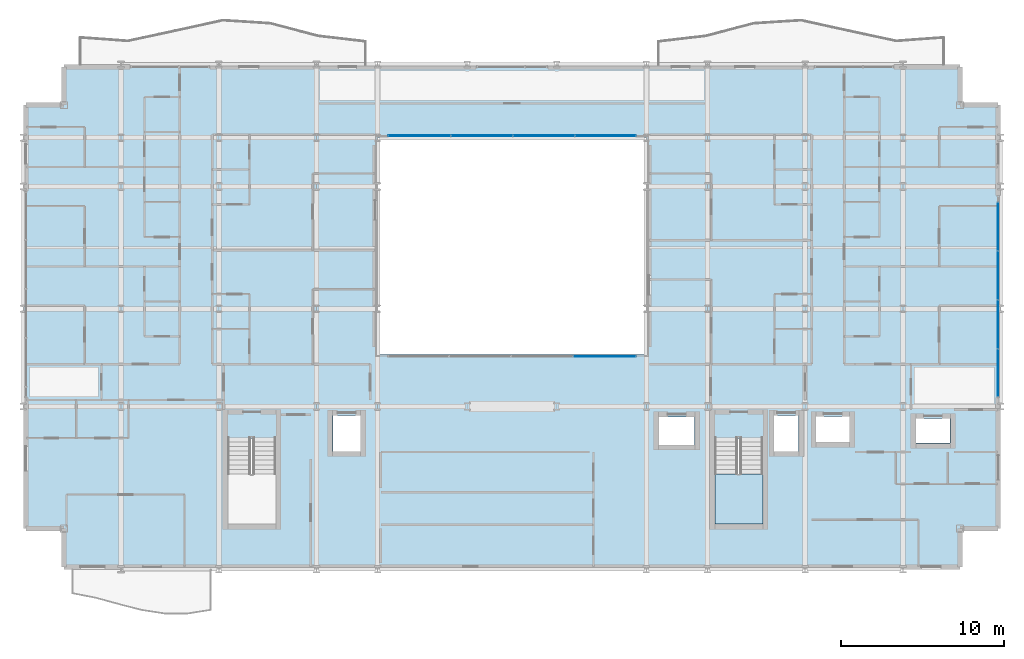
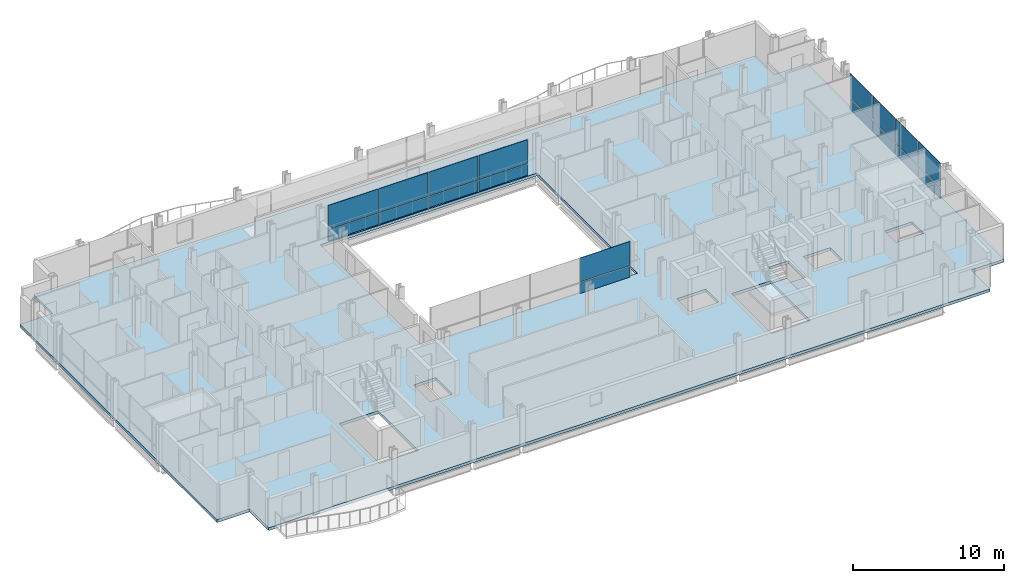
# One storey, part 27 of 40: 18 plates, 2 slabs, 4 elements without a shape of their own.
"""IFC4 building model written with IfcOpenShell, lengths in metres."""

from ifc_helpers import new_model, si_unit, direction, frame, origin, origin_2d, place, context, subcontext, project, spatial, polyline, rectangle, outline, extrude, material, layer, layer_set, type_object, element, aggregate, save


model = new_model("IFC4")

# Units and contexts
model_context = context("Model", 3, precision=1e-05, world=origin(), true_north=direction((0.0, 1.0)))
body_context = subcontext(model_context, "Body", "Model", "MODEL_VIEW")
ifc_project = project(units=[si_unit("LENGTHUNIT", "METRE"), si_unit("AREAUNIT", "SQUARE_METRE"), si_unit("VOLUMEUNIT", "CUBIC_METRE"), si_unit("PLANEANGLEUNIT", "RADIAN"), si_unit("MASSUNIT", "GRAM", prefix="KILO")], contexts=[model_context])

# Site, building, storey
site_placement = place(None, origin())
site = spatial("IfcSite", under=ifc_project, at=site_placement, CompositionType="ELEMENT")
building_placement = place(site_placement, origin())
building = spatial("IfcBuilding", under=site, at=building_placement, Name="Brevholm Reach", CompositionType="ELEMENT")
storey_placement = place(building_placement, frame((0.0, 0.0, 37.300048828125)))
storey = spatial("IfcBuildingStorey", under=building, at=storey_placement, Name="L09", CompositionType="ELEMENT", Elevation=37.300048828125)

# Curtain wall, plates
ifc_material_1 = material(Name="Dark Anodised Aluminium 6063-T6 and Solar-Control Glass", Category="aluminium")
ifc_layer_1 = layer(ifc_material_1, 0.14990234375)
ifc_layer_set_1 = layer_set([ifc_layer_1], Name="Dark Anodised Aluminium 6063-T6 and Solar-Control Glass")
curtain_wall_type_1 = type_object("IfcCurtainWallType", Name="CW-01", PredefinedType="NOTDEFINED", material=ifc_layer_set_1)
curtain_wall_1_placement = place(storey_placement, origin())
curtain_wall_1 = element("IfcCurtainWall", 1, at=curtain_wall_1_placement, inside=storey, type_object=curtain_wall_type_1, Name="L09 Curtain Wall CW-01", PredefinedType="NOTDEFINED")
ifc_material_2 = material(Name="Dark Solar-Control Double-Glazed IGU Glass", Category="glass")
ifc_layer_2 = layer(ifc_material_2, 0.028076171875)
ifc_layer_set_2 = layer_set([ifc_layer_2], Name="Dark Solar-Control Double-Glazed IGU Glass")
plate_type_1 = type_object("IfcPlateType", Name="CWP-GLZ-28", PredefinedType="CURTAIN_PANEL", material=ifc_layer_set_2)
plate_1_placement = place(storey_placement, frame((59.85009765625, 12.066162109375, 0.0), z_axis=(0.0, 0.0, 1.0), x_axis=(0.0, 1.0, 0.0)))
plate_1 = element("IfcPlate", 2, at=plate_1_placement, type_object=plate_type_1, Name="CP-01 Glazing Panel 1.1", PredefinedType="CURTAIN_PANEL", context=body_context, shape_type="SweptSolid", body=[
    extrude(rectangle(XDim=2.902587890625, YDim=0.028076171875, at=origin_2d()), origin(), (0.0, 0.0, 1.0), 0.867431640625),
])
plate_2_placement = place(storey_placement, frame((59.85009765625, 12.066162109375, 0.932373046875), z_axis=(0.0, 0.0, 1.0), x_axis=(0.0, 1.0, 0.0)))
plate_2 = element("IfcPlate", 3, at=plate_2_placement, type_object=plate_type_1, Name="CP-01 Glazing Panel 1.2", PredefinedType="CURTAIN_PANEL", context=body_context, shape_type="SweptSolid", body=[
    extrude(rectangle(XDim=2.902587890625, YDim=0.028076171875, at=origin_2d()), origin(), (0.0, 0.0, 1.0), 1.9375),
])
plate_3_placement = place(storey_placement, frame((59.85009765625, 15.050048828125, 0.0), z_axis=(0.0, 0.0, 1.0), x_axis=(0.0, 1.0, 0.0)))
plate_3 = element("IfcPlate", 4, at=plate_3_placement, type_object=plate_type_1, Name="CP-01 Glazing Panel 2.1", PredefinedType="CURTAIN_PANEL", context=body_context, shape_type="SweptSolid", body=[
    extrude(rectangle(XDim=2.93505859375, YDim=0.028076171875, at=origin_2d()), origin(), (0.0, 0.0, 1.0), 0.867431640625),
])
plate_4_placement = place(storey_placement, frame((59.85009765625, 15.050048828125, 0.932373046875), z_axis=(0.0, 0.0, 1.0), x_axis=(0.0, 1.0, 0.0)))
plate_4 = element("IfcPlate", 5, at=plate_4_placement, type_object=plate_type_1, Name="CP-01 Glazing Panel 2.2", PredefinedType="CURTAIN_PANEL", context=body_context, shape_type="SweptSolid", body=[
    extrude(rectangle(XDim=2.93505859375, YDim=0.028076171875, at=origin_2d()), origin(), (0.0, 0.0, 1.0), 1.9375),
])
plate_5_placement = place(storey_placement, frame((59.85009765625, 18.050048828125, 0.0), z_axis=(0.0, 0.0, 1.0), x_axis=(0.0, 1.0, 0.0)))
plate_5 = element("IfcPlate", 6, at=plate_5_placement, type_object=plate_type_1, Name="CP-01 Glazing Panel 3.1", PredefinedType="CURTAIN_PANEL", context=body_context, shape_type="SweptSolid", body=[
    extrude(rectangle(XDim=2.93505859375, YDim=0.028076171875, at=origin_2d()), origin(), (0.0, 0.0, 1.0), 0.867431640625),
])
plate_6_placement = place(storey_placement, frame((59.85009765625, 18.050048828125, 0.932373046875), z_axis=(0.0, 0.0, 1.0), x_axis=(0.0, 1.0, 0.0)))
plate_6 = element("IfcPlate", 7, at=plate_6_placement, type_object=plate_type_1, Name="CP-01 Glazing Panel 3.2", PredefinedType="CURTAIN_PANEL", context=body_context, shape_type="SweptSolid", body=[
    extrude(rectangle(XDim=2.93505859375, YDim=0.028076171875, at=origin_2d()), origin(), (0.0, 0.0, 1.0), 1.9375),
])
plate_7_placement = place(storey_placement, frame((59.85009765625, 21.050048828125, 0.0), z_axis=(0.0, 0.0, 1.0), x_axis=(0.0, 1.0, 0.0)))
plate_7 = element("IfcPlate", 8, at=plate_7_placement, type_object=plate_type_1, Name="CP-01 Glazing Panel 4.1", PredefinedType="CURTAIN_PANEL", context=body_context, shape_type="SweptSolid", body=[
    extrude(rectangle(XDim=2.93505859375, YDim=0.028076171875, at=origin_2d()), origin(), (0.0, 0.0, 1.0), 0.867431640625),
])
plate_8_placement = place(storey_placement, frame((59.85009765625, 21.050048828125, 0.932373046875), z_axis=(0.0, 0.0, 1.0), x_axis=(0.0, 1.0, 0.0)))
plate_8 = element("IfcPlate", 9, at=plate_8_placement, type_object=plate_type_1, Name="CP-01 Glazing Panel 4.2", PredefinedType="CURTAIN_PANEL", context=body_context, shape_type="SweptSolid", body=[
    extrude(rectangle(XDim=2.93505859375, YDim=0.028076171875, at=origin_2d()), origin(), (0.0, 0.0, 1.0), 1.9375),
])
aggregate(curtain_wall_1, [plate_1, plate_2, plate_3, plate_4, plate_5, plate_6, plate_7, plate_8])

ifc_material_3 = material(Name="Dark Anodised Aluminium 6063-T6 and Solar-Control Glass", Category="aluminium")
ifc_layer_3 = layer(ifc_material_3, 0.139892578125)
ifc_layer_set_3 = layer_set([ifc_layer_3], Name="Dark Anodised Aluminium 6063-T6 and Solar-Control Glass")
curtain_wall_type_2 = type_object("IfcCurtainWallType", Name="CW-02", PredefinedType="NOTDEFINED", material=ifc_layer_set_3)
curtain_wall_2_placement = place(storey_placement, origin())
curtain_wall_2 = element("IfcCurtainWall", 10, at=curtain_wall_2_placement, inside=storey, type_object=curtain_wall_type_2, Name="L09 Curtain Wall CW-02", PredefinedType="NOTDEFINED")
ifc_material_4 = material(Name="Low-Iron Laminated Acoustic Glass", Category="glass")
ifc_layer_4 = layer(ifc_material_4, 0.035888671875)
ifc_layer_set_4 = layer_set([ifc_layer_4], Name="Low-Iron Laminated Acoustic Glass")
plate_type_2 = type_object("IfcPlateType", Name="CWP-GLZ-36", PredefinedType="CURTAIN_PANEL", material=ifc_layer_set_4)
plate_9_placement = place(storey_placement, frame((35.68505859375, 13.080078125, 0.0), z_axis=(0.0, 0.0, 1.0), x_axis=(1.0, 0.0, 0.0)))
plate_9 = element("IfcPlate", 11, at=plate_9_placement, type_object=plate_type_2, Name="CP-02 Glazing Panel 4.1", PredefinedType="CURTAIN_PANEL", context=body_context, shape_type="SweptSolid", body=[
    extrude(rectangle(XDim=3.81005859375, YDim=0.035888671875, at=origin_2d()), origin(), (0.0, 0.0, 1.0), 0.8701171875),
])
plate_10_placement = place(storey_placement, frame((35.68505859375, 13.080078125, 0.929931640625), z_axis=(0.0, 0.0, 1.0), x_axis=(1.0, 0.0, 0.0)))
plate_10 = element("IfcPlate", 12, at=plate_10_placement, type_object=plate_type_2, Name="CP-02 Glazing Panel 4.2", PredefinedType="CURTAIN_PANEL", context=body_context, shape_type="SweptSolid", body=[
    extrude(rectangle(XDim=3.81005859375, YDim=0.035888671875, at=origin_2d()), origin(), (0.0, 0.0, 1.0), 1.93994140625),
])
aggregate(curtain_wall_2, [plate_9, plate_10])

curtain_wall_3_placement = place(storey_placement, origin())
curtain_wall_3 = element("IfcCurtainWall", 13, at=curtain_wall_3_placement, inside=storey, type_object=curtain_wall_type_2, Name="L09 Curtain Wall CW-02", PredefinedType="NOTDEFINED")
plate_11_placement = place(storey_placement, frame((35.735107421875, 26.6201171875, 0.0), z_axis=(0.0, 0.0, 1.0), x_axis=(-1.0, 0.0, 0.0)))
plate_11 = element("IfcPlate", 14, at=plate_11_placement, type_object=plate_type_2, Name="CP-02 Glazing Panel 1.1", PredefinedType="CURTAIN_PANEL", context=body_context, shape_type="SweptSolid", body=[
    extrude(rectangle(XDim=3.7099609375, YDim=0.035888671875, at=origin_2d()), origin(), (0.0, 0.0, 1.0), 0.8701171875),
])
plate_12_placement = place(storey_placement, frame((35.735107421875, 26.6201171875, 0.929931640625), z_axis=(0.0, 0.0, 1.0), x_axis=(-1.0, 0.0, 0.0)))
plate_12 = element("IfcPlate", 15, at=plate_12_placement, type_object=plate_type_2, Name="CP-02 Glazing Panel 1.2", PredefinedType="CURTAIN_PANEL", context=body_context, shape_type="SweptSolid", body=[
    extrude(rectangle(XDim=3.7099609375, YDim=0.035888671875, at=origin_2d()), origin(), (0.0, 0.0, 1.0), 1.93994140625),
])
plate_13_placement = place(storey_placement, frame((31.949951171875, 26.6201171875, 0.0), z_axis=(0.0, 0.0, 1.0), x_axis=(-1.0, 0.0, 0.0)))
plate_13 = element("IfcPlate", 16, at=plate_13_placement, type_object=plate_type_2, Name="CP-02 Glazing Panel 2.1", PredefinedType="CURTAIN_PANEL", context=body_context, shape_type="SweptSolid", body=[
    extrude(rectangle(XDim=3.739990234375, YDim=0.035888671875, at=origin_2d()), origin(), (0.0, 0.0, 1.0), 0.8701171875),
])
plate_14_placement = place(storey_placement, frame((31.949951171875, 26.6201171875, 0.929931640625), z_axis=(0.0, 0.0, 1.0), x_axis=(-1.0, 0.0, 0.0)))
plate_14 = element("IfcPlate", 17, at=plate_14_placement, type_object=plate_type_2, Name="CP-02 Glazing Panel 2.2", PredefinedType="CURTAIN_PANEL", context=body_context, shape_type="SweptSolid", body=[
    extrude(rectangle(XDim=3.739990234375, YDim=0.035888671875, at=origin_2d()), origin(), (0.0, 0.0, 1.0), 1.93994140625),
])
plate_15_placement = place(storey_placement, frame((28.14990234375, 26.6201171875, 0.0), z_axis=(0.0, 0.0, 1.0), x_axis=(-1.0, 0.0, 0.0)))
plate_15 = element("IfcPlate", 18, at=plate_15_placement, type_object=plate_type_2, Name="CP-02 Glazing Panel 3.1", PredefinedType="CURTAIN_PANEL", context=body_context, shape_type="SweptSolid", body=[
    extrude(rectangle(XDim=3.739990234375, YDim=0.035888671875, at=origin_2d()), origin(), (0.0, 0.0, 1.0), 0.8701171875),
])
plate_16_placement = place(storey_placement, frame((28.14990234375, 26.6201171875, 0.929931640625), z_axis=(0.0, 0.0, 1.0), x_axis=(-1.0, 0.0, 0.0)))
plate_16 = element("IfcPlate", 19, at=plate_16_placement, type_object=plate_type_2, Name="CP-02 Glazing Panel 3.2", PredefinedType="CURTAIN_PANEL", context=body_context, shape_type="SweptSolid", body=[
    extrude(rectangle(XDim=3.739990234375, YDim=0.035888671875, at=origin_2d()), origin(), (0.0, 0.0, 1.0), 1.93994140625),
])
plate_17_placement = place(storey_placement, frame((24.31494140625, 26.6201171875, 0.0), z_axis=(0.0, 0.0, 1.0), x_axis=(-1.0, 0.0, 0.0)))
plate_17 = element("IfcPlate", 20, at=plate_17_placement, type_object=plate_type_2, Name="CP-02 Glazing Panel 4.1", PredefinedType="CURTAIN_PANEL", context=body_context, shape_type="SweptSolid", body=[
    extrude(rectangle(XDim=3.81005859375, YDim=0.035888671875, at=origin_2d()), origin(), (0.0, 0.0, 1.0), 0.8701171875),
])
plate_18_placement = place(storey_placement, frame((24.31494140625, 26.6201171875, 0.929931640625), z_axis=(0.0, 0.0, 1.0), x_axis=(-1.0, 0.0, 0.0)))
plate_18 = element("IfcPlate", 21, at=plate_18_placement, type_object=plate_type_2, Name="CP-02 Glazing Panel 4.2", PredefinedType="CURTAIN_PANEL", context=body_context, shape_type="SweptSolid", body=[
    extrude(rectangle(XDim=3.81005859375, YDim=0.035888671875, at=origin_2d()), origin(), (0.0, 0.0, 1.0), 1.93994140625),
])
aggregate(curtain_wall_3, [plate_11, plate_12, plate_13, plate_14, plate_15, plate_16, plate_17, plate_18])

# Slab
ifc_material_5 = material(Name="Concrete C40/50", Category="concrete")
ifc_layer_5 = layer(ifc_material_5, 0.22998046875)
ifc_layer_set_5 = layer_set([ifc_layer_5], Name="Concrete C40/50")
slab_type_1 = type_object("IfcSlabType", Name="SLB-FL-230", PredefinedType="FLOOR", material=ifc_layer_set_5)
slab_1_placement = place(storey_placement, frame((0.0, 0.0, -0.22998046875)))
element("IfcSlab", 22, at=slab_1_placement, inside=storey, type_object=slab_type_1, Name="L09 Suspended Floor Slab (main)", PredefinedType="FLOOR", context=body_context, shape_type="SweptSolid", body=[
    extrude(outline(polyline([(2.5, 0.0), (57.5, 0.0), (57.5, 2.5), (60.0, 2.5), (60.0, 28.5), (57.5, 28.5), (57.5, 31.0), (2.5, 31.0), (2.5, 28.5), (0.0, 28.5), (0.0, 2.5), (2.5, 2.5), (2.5, 0.0)]), holes=[polyline([(21.75, 13.199951171875), (38.25, 13.199951171875), (38.25, 26.5), (21.75, 26.5), (21.75, 13.199951171875)]), polyline([(12.550048828125, 2.780029296875), (15.5, 2.780029296875), (15.5, 8.044921875), (12.550048828125, 8.044921875), (12.550048828125, 2.780029296875)]), polyline([(42.449951171875, 2.780029296875), (45.39990234375, 2.780029296875), (45.39990234375, 8.044921875), (42.449951171875, 8.044921875), (42.449951171875, 2.780029296875)]), polyline([(19.0, 7.25), (20.699951171875, 7.25), (20.699951171875, 9.449951171875), (19.0, 9.449951171875), (19.0, 7.25)]), polyline([(46.10009765625, 7.25), (47.60009765625, 7.25), (47.60009765625, 9.449951171875), (46.10009765625, 9.449951171875), (46.10009765625, 7.25)]), polyline([(48.675048828125, 7.824951171875), (50.72509765625, 7.824951171875), (50.72509765625, 9.375), (48.675048828125, 9.375), (48.675048828125, 7.824951171875)]), polyline([(54.800048828125, 7.75), (56.89990234375, 7.75), (56.89990234375, 9.25), (54.800048828125, 9.25), (54.800048828125, 7.75)]), polyline([(39.02001953125, 7.64990234375), (41.219970703125, 7.64990234375), (41.219970703125, 9.35009765625), (39.02001953125, 9.35009765625), (39.02001953125, 7.64990234375)])]), origin(), (0.0, 0.0, 1.0), 0.22998046875),
])

# Stair, slab
ifc_material_6 = material(Name="Precast Concrete C40/50", Category="concrete")
stair_type = type_object("IfcStairType", Name="STR-ESC-1400", PredefinedType="DOUBLE_RETURN_STAIR", material=ifc_material_6)
stair_placement = place(storey_placement, origin())
stair = element("IfcStair", 23, at=stair_placement, inside=storey, type_object=stair_type, Name="L09 ST-2", PredefinedType="DOUBLE_RETURN_STAIR")
ifc_material_7 = material(Name="Concrete C40/50", Category="concrete")
ifc_layer_6 = layer(ifc_material_7, 0.199951171875)
ifc_layer_set_6 = layer_set([ifc_layer_6], Name="Concrete C40/50")
slab_type_2 = type_object("IfcSlabType", Name="SLB-LND-200", PredefinedType="LANDING", material=ifc_layer_set_6)
slab_2_placement = place(storey_placement, frame((0.0, 0.0, 1.349853515625)))
slab_2 = element("IfcSlab", 24, at=slab_2_placement, type_object=slab_type_2, Name="ST-2 landing 1", PredefinedType="LANDING", context=body_context, shape_type="SweptSolid", body=[
    extrude(outline(polyline([(42.449951171875, 5.860107421875), (42.449951171875, 2.780029296875), (45.39990234375, 2.780029296875), (45.39990234375, 5.860107421875), (42.449951171875, 5.860107421875)])), origin(), (0.0, 0.0, 1.0), 0.2001953125),
])
aggregate(stair, [slab_2])

save(model, "model.ifc")
